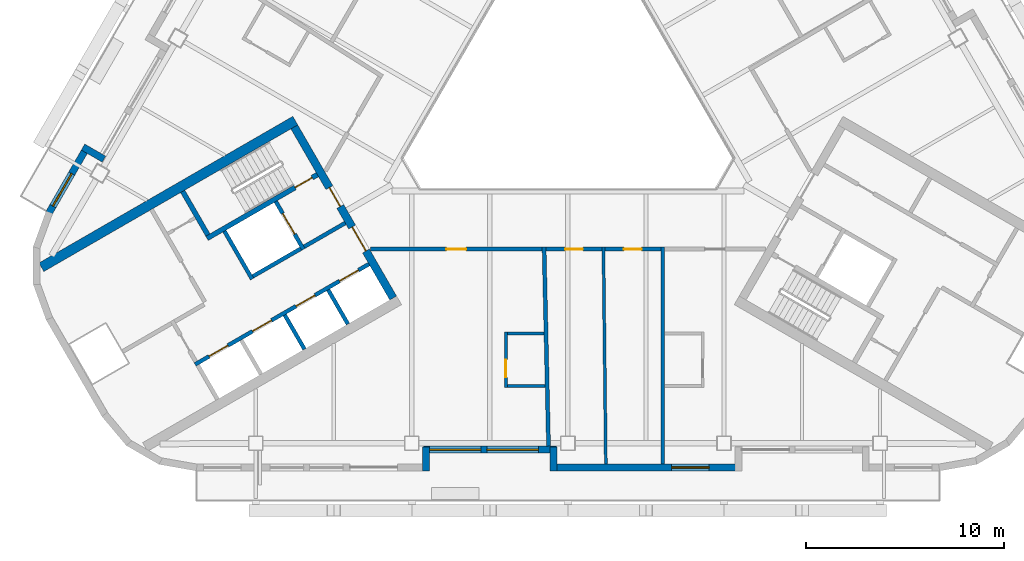
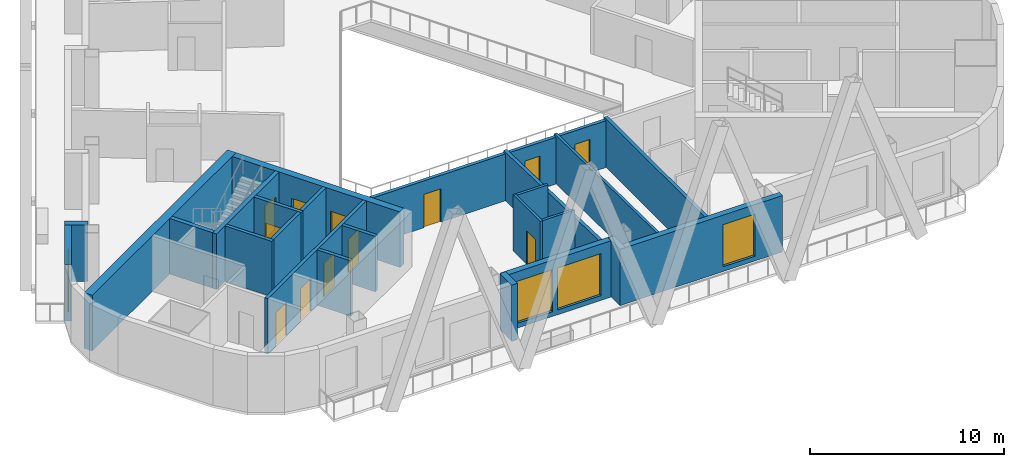
# One storey, part 3 of 13: 26 walls, 12 doors, 4 windows, 16 openings.
"""IFC4 building model written with IfcOpenShell, lengths in metres."""

from ifc_helpers import new_model, si_unit, direction, frame, frame_2d, origin, place, context, subcontext, project, spatial, rectangle, extrude, material, layer, layer_set, type_object, element, fill, save


model = new_model("IFC4")

# Units and contexts
model_context = context("Model", 3, precision=1e-05, world=origin(), true_north=direction((0.0, 1.0)))
body_context = subcontext(model_context, "Body", "Model", "MODEL_VIEW")
ifc_project = project(units=[si_unit("LENGTHUNIT", "METRE"), si_unit("AREAUNIT", "SQUARE_METRE"), si_unit("VOLUMEUNIT", "CUBIC_METRE"), si_unit("PLANEANGLEUNIT", "RADIAN"), si_unit("MASSUNIT", "GRAM", prefix="KILO")], contexts=[model_context])

# Site, building, storey
site_placement = place(None, origin())
site = spatial("IfcSite", under=ifc_project, at=site_placement, CompositionType="ELEMENT")
building_placement = place(site_placement, origin())
building = spatial("IfcBuilding", under=site, at=building_placement, Name="Apuvela Tower Hotel", CompositionType="ELEMENT")
storey_placement = place(building_placement, frame((0.0, 0.0, 191.0)))
storey = spatial("IfcBuildingStorey", under=building, at=storey_placement, Name="L46", CompositionType="ELEMENT", Elevation=191.0)

# Wall, openings, doors
ifc_material_1 = material(Name="Concrete C50/60", Category="concrete")
ifc_layer_1 = layer(ifc_material_1, 0.39990234375)
ifc_layer_set_1 = layer_set([ifc_layer_1], Name="COR-WALL-CORE-400")
wall_type_1 = type_object("IfcWallType", Name="COR-WALL-CORE-400", PredefinedType="SHEAR", material=ifc_layer_set_1)
wall_1_placement = place(storey_placement, frame((-13.844970703125, -2.219970703125, 0.0), z_axis=(0.0, 0.0, 1.0), x_axis=(0.500004234368, -0.866022959057, 0.0)))
wall_1 = element("IfcWall", 1, at=wall_1_placement, inside=storey, type_object=wall_type_1, Name="Core wall SW", PredefinedType="SHEAR", context=body_context, shape_type="SweptSolid", body=[
    extrude(rectangle(XDim=10.0, YDim=0.39990234375, at=frame_2d((5.0, 0.0))), origin(), (0.0, 0.0, 1.0), 3.5),
])
opening_1_placement = place(wall_1_placement, frame((3.550048828125, 0.0, 0.0)))
opening_1 = element("IfcOpeningElement", 2, at=opening_1_placement, cuts=wall_1, Name="Opening W-FD", PredefinedType="OPENING", context=body_context, shape_type="SweptSolid", body=[
    extrude(rectangle(XDim=1.10009765625, YDim=2.10009765625, at=frame_2d((0.550048828125, 1.050048828125))), frame((0.0, 0.2099609375, 0.0), z_axis=(0.0, -1.0, 0.0), x_axis=(1.0, 0.0, 0.0)), (0.0, 0.0, 1.0), 0.419921875),
])
opening_2_placement = place(wall_1_placement, frame((5.85009765625, 0.0, 0.0)))
opening_2 = element("IfcOpeningElement", 3, at=opening_2_placement, cuts=wall_1, Name="Opening W-GD", PredefinedType="OPENING", context=body_context, shape_type="SweptSolid", body=[
    extrude(rectangle(XDim=1.39990234375, YDim=2.10009765625, at=frame_2d((0.699951171875, 1.050048828125))), frame((0.0, 0.2099609375, 0.0), z_axis=(0.0, -1.0, 0.0), x_axis=(1.0, 0.0, 0.0)), (0.0, 0.0, 1.0), 0.419921875),
])
ifc_material_2 = material(Name="Steel fire door, powder coated", Category="steel")
door_type_1 = type_object("IfcDoorType", Name="COR-FD-1100", OperationType="NOTDEFINED", PredefinedType="DOOR", material=ifc_material_2)
door_1_placement = place(opening_1_placement, frame((1.10009765625, 0.0, 0.0), z_axis=(0.0, 0.0, 1.0), x_axis=(-1.0, 0.0, 0.0)))
door_1 = element("IfcDoor", 4, at=door_1_placement, inside=storey, type_object=door_type_1, Name="Firefighting lobby door W-FD", OperationType="SINGLE_SWING_LEFT", OverallHeight=2.10009765625, OverallWidth=1.10009765625, PredefinedType="DOOR", context=body_context, shape_type="SweptSolid", body=[
    extrude(rectangle(XDim=1.10009765625, YDim=2.10009765625, at=frame_2d((0.550048828125, 1.050048828125))), frame((0.0, 0.02490234375, 0.0), z_axis=(0.0, -1.0, 0.0), x_axis=(1.0, 0.0, 0.0)), (0.0, 0.0, 1.0), 0.050048828125),
])
fill(opening_1, door_1)
ifc_material_3 = material(Name="Glazed steel fire door", Category="steel")
door_type_2 = type_object("IfcDoorType", Name="COR-GD-1400", OperationType="DOUBLE_DOOR_SINGLE_SWING", PredefinedType="DOOR", material=ifc_material_3)
door_2_placement = place(opening_2_placement, frame((1.39990234375, 0.0, 0.0), z_axis=(0.0, 0.0, 1.0), x_axis=(-1.0, 0.0, 0.0)))
door_2 = element("IfcDoor", 5, at=door_2_placement, inside=storey, type_object=door_type_2, Name="Lift lobby door W-GD", OperationType="DOUBLE_DOOR_SINGLE_SWING", OverallHeight=2.10009765625, OverallWidth=1.39990234375, PredefinedType="DOOR", context=body_context, shape_type="SweptSolid", body=[
    extrude(rectangle(XDim=1.39990234375, YDim=2.10009765625, at=frame_2d((0.699951171875, 1.050048828125))), frame((0.0, 0.02490234375, 0.0), z_axis=(0.0, -1.0, 0.0), x_axis=(1.0, 0.0, 0.0)), (0.0, 0.0, 1.0), 0.050048828125),
])
fill(opening_2, door_2)

# Walls
ifc_layer_2 = layer(ifc_material_1, 0.5)
ifc_layer_set_2 = layer_set([ifc_layer_2], Name="COR-WALL-CORE-500")
wall_type_2 = type_object("IfcWallType", Name="COR-WALL-CORE-500", PredefinedType="SHEAR", material=ifc_layer_set_2)
wall_2_placement = place(storey_placement, frame((-13.796630859375, -1.9033203125, 0.0), z_axis=(0.0, 0.0, 1.0), x_axis=(-0.866025009528, -0.500000682871, 0.0)))
element("IfcWall", 6, at=wall_2_placement, inside=storey, type_object=wall_type_2, Name="Core wall SW", PredefinedType="SHEAR", context=body_context, shape_type="SweptSolid", body=[
    extrude(rectangle(XDim=14.8369140625, YDim=0.5, at=frame_2d((7.41845703125, 0.0))), origin(), (0.0, 0.0, 1.0), 3.5),
])
ifc_layer_3 = layer(ifc_material_1, 0.199951171875)
ifc_layer_set_3 = layer_set([ifc_layer_3], Name="COR-WALL-SHAFT-200")
wall_type_3 = type_object("IfcWallType", Name="COR-WALL-SHAFT-200", PredefinedType="SHEAR", material=ifc_layer_set_3)
wall_3_placement = place(storey_placement, frame((-17.38134765625, -7.49462890625, 0.0), z_axis=(0.0, 0.0, 1.0), x_axis=(0.500011755427, -0.866018616679, 0.0)))
element("IfcWall", 7, at=wall_3_placement, inside=storey, type_object=wall_type_3, Name="Shaft wall SW", PredefinedType="SHEAR", context=body_context, shape_type="SweptSolid", body=[
    extrude(rectangle(XDim=2.80029296875, YDim=0.199951171875, at=frame_2d((1.400146484375, 0.0))), origin(), (0.0, 0.0, 1.0), 3.5),
])

# Wall, opening, door
wall_4_placement = place(storey_placement, frame((-14.783203125, -5.99462890625, 0.0), z_axis=(0.0, 0.0, 1.0), x_axis=(0.49994636267, -0.866056369097, 0.0)))
wall_4 = element("IfcWall", 8, at=wall_4_placement, inside=storey, type_object=wall_type_3, Name="Shaft wall SW", PredefinedType="SHEAR", context=body_context, shape_type="SweptSolid", body=[
    extrude(rectangle(XDim=2.800048828125, YDim=0.199951171875, at=frame_2d((1.39990234375, 0.0))), origin(), (0.0, 0.0, 1.0), 3.5),
])
opening_3_placement = place(wall_4_placement, frame((0.699951171875, 0.0, 0.0)))
opening_3 = element("IfcOpeningElement", 9, at=opening_3_placement, cuts=wall_4, Name="Opening W-LD-FS2", PredefinedType="OPENING", context=body_context, shape_type="SweptSolid", body=[
    extrude(rectangle(XDim=1.199951171875, YDim=2.10009765625, at=frame_2d((0.60009765625, 1.050048828125))), frame((0.0, 0.10986328125, 0.0), z_axis=(0.0, -1.0, 0.0), x_axis=(1.0, 0.0, 0.0)), (0.0, 0.0, 1.0), 0.219970703125),
])
ifc_material_4 = material(Name="Stainless steel lift landing door", Category="steel")
door_type_3 = type_object("IfcDoorType", Name="COR-LD-1200", OperationType="DOUBLE_DOOR_SLIDING", PredefinedType="DOOR", material=ifc_material_4)
door_3_placement = place(opening_3_placement, origin())
door_3 = element("IfcDoor", 10, at=door_3_placement, inside=storey, type_object=door_type_3, Name="Lift landing door W-LD-FS2", OperationType="DOUBLE_DOOR_SLIDING", OverallHeight=2.10009765625, OverallWidth=1.199951171875, PredefinedType="DOOR", context=body_context, shape_type="SweptSolid", body=[
    extrude(rectangle(XDim=1.199951171875, YDim=2.10009765625, at=frame_2d((0.60009765625, 1.050048828125))), frame((0.0, 0.02490234375, 0.0), z_axis=(0.0, -1.0, 0.0), x_axis=(1.0, 0.0, 0.0)), (0.0, 0.0, 1.0), 0.050048828125),
])
fill(opening_3, door_3)

# Walls
wall_5_placement = place(storey_placement, frame((-13.519775390625, -8.383056640625, 0.0), z_axis=(0.0, 0.0, 1.0), x_axis=(-0.866034573852, -0.49998411664, 0.0)))
element("IfcWall", 11, at=wall_5_placement, inside=storey, type_object=wall_type_3, Name="Shaft wall SW", PredefinedType="SHEAR", context=body_context, shape_type="SweptSolid", body=[
    extrude(rectangle(XDim=2.7998046875, YDim=0.199951171875, at=frame_2d((1.39990234375, 0.0))), origin(), (0.0, 0.0, 1.0), 3.5),
])
wall_6_placement = place(storey_placement, frame((-11.26806640625, -7.0830078125, 0.0), z_axis=(0.0, 0.0, 1.0), x_axis=(-0.866050077142, -0.499957262057, 0.0)))
element("IfcWall", 12, at=wall_6_placement, inside=storey, type_object=wall_type_3, Name="Shaft wall SW", PredefinedType="SHEAR", context=body_context, shape_type="SweptSolid", body=[
    extrude(rectangle(XDim=2.400146484375, YDim=0.199951171875, at=frame_2d((1.2001953125, 0.0))), origin(), (0.0, 0.0, 1.0), 3.5),
])

# Wall, openings, doors
wall_7_placement = place(storey_placement, frame((-10.068115234375, -9.16162109375, 0.0), z_axis=(0.0, 0.0, 1.0), x_axis=(-0.866032725843, -0.499987317609, 0.0)))
wall_7 = element("IfcWall", 13, at=wall_7_placement, inside=storey, type_object=wall_type_3, Name="Shaft wall SW", PredefinedType="SHEAR", context=body_context, shape_type="SweptSolid", body=[
    extrude(rectangle(XDim=10.159912109375, YDim=0.199951171875, at=frame_2d((5.080078125, 0.0))), origin(), (0.0, 0.0, 1.0), 3.5),
])
opening_4_placement = place(wall_7_placement, frame((0.6201171875, 0.0, 0.0)))
opening_4 = element("IfcOpeningElement", 14, at=opening_4_placement, cuts=wall_7, Name="Opening W-LD-MR1", PredefinedType="OPENING", context=body_context, shape_type="SweptSolid", body=[
    extrude(rectangle(XDim=1.10009765625, YDim=2.10009765625, at=frame_2d((0.550048828125, 1.050048828125))), frame((0.0, 0.10986328125, 0.0), z_axis=(0.0, -1.0, 0.0), x_axis=(1.0, 0.0, 0.0)), (0.0, 0.0, 1.0), 0.219970703125),
])
opening_5_placement = place(wall_7_placement, frame((3.159912109375, 0.0, 0.0)))
opening_5 = element("IfcOpeningElement", 15, at=opening_5_placement, cuts=wall_7, Name="Opening W-LD-MR2", PredefinedType="OPENING", context=body_context, shape_type="SweptSolid", body=[
    extrude(rectangle(XDim=1.10009765625, YDim=2.10009765625, at=frame_2d((0.550048828125, 1.050048828125))), frame((0.0, 0.10986328125, 0.0), z_axis=(0.0, -1.0, 0.0), x_axis=(1.0, 0.0, 0.0)), (0.0, 0.0, 1.0), 0.219970703125),
])
opening_6_placement = place(wall_7_placement, frame((5.699951171875, 0.0, 0.0)))
opening_6 = element("IfcOpeningElement", 16, at=opening_6_placement, cuts=wall_7, Name="Opening W-LD-MR3", PredefinedType="OPENING", context=body_context, shape_type="SweptSolid", body=[
    extrude(rectangle(XDim=1.10009765625, YDim=2.10009765625, at=frame_2d((0.550048828125, 1.050048828125))), frame((0.0, 0.10986328125, 0.0), z_axis=(0.0, -1.0, 0.0), x_axis=(1.0, 0.0, 0.0)), (0.0, 0.0, 1.0), 0.219970703125),
])
opening_7_placement = place(wall_7_placement, frame((8.239990234375, 0.0, 0.0)))
opening_7 = element("IfcOpeningElement", 17, at=opening_7_placement, cuts=wall_7, Name="Opening W-LD-MR4", PredefinedType="OPENING", context=body_context, shape_type="SweptSolid", body=[
    extrude(rectangle(XDim=1.10009765625, YDim=2.10009765625, at=frame_2d((0.550048828125, 1.050048828125))), frame((0.0, 0.10986328125, 0.0), z_axis=(0.0, -1.0, 0.0), x_axis=(1.0, 0.0, 0.0)), (0.0, 0.0, 1.0), 0.219970703125),
])
door_type_4 = type_object("IfcDoorType", Name="COR-LD-1100", OperationType="DOUBLE_DOOR_SLIDING", PredefinedType="DOOR", material=ifc_material_4)
door_4_placement = place(opening_4_placement, origin())
door_4 = element("IfcDoor", 18, at=door_4_placement, inside=storey, type_object=door_type_4, Name="Lift landing door W-LD-MR1", OperationType="DOUBLE_DOOR_SLIDING", OverallHeight=2.10009765625, OverallWidth=1.10009765625, PredefinedType="DOOR", context=body_context, shape_type="SweptSolid", body=[
    extrude(rectangle(XDim=1.10009765625, YDim=2.10009765625, at=frame_2d((0.550048828125, 1.050048828125))), frame((0.0, 0.02490234375, 0.0), z_axis=(0.0, -1.0, 0.0), x_axis=(1.0, 0.0, 0.0)), (0.0, 0.0, 1.0), 0.050048828125),
])
fill(opening_4, door_4)
door_5_placement = place(opening_5_placement, origin())
door_5 = element("IfcDoor", 19, at=door_5_placement, inside=storey, type_object=door_type_4, Name="Lift landing door W-LD-MR2", OperationType="DOUBLE_DOOR_SLIDING", OverallHeight=2.10009765625, OverallWidth=1.10009765625, PredefinedType="DOOR", context=body_context, shape_type="SweptSolid", body=[
    extrude(rectangle(XDim=1.10009765625, YDim=2.10009765625, at=frame_2d((0.550048828125, 1.050048828125))), frame((0.0, 0.02490234375, 0.0), z_axis=(0.0, -1.0, 0.0), x_axis=(1.0, 0.0, 0.0)), (0.0, 0.0, 1.0), 0.050048828125),
])
fill(opening_5, door_5)
door_6_placement = place(opening_6_placement, origin())
door_6 = element("IfcDoor", 20, at=door_6_placement, inside=storey, type_object=door_type_4, Name="Lift landing door W-LD-MR3", OperationType="DOUBLE_DOOR_SLIDING", OverallHeight=2.10009765625, OverallWidth=1.10009765625, PredefinedType="DOOR", context=body_context, shape_type="SweptSolid", body=[
    extrude(rectangle(XDim=1.10009765625, YDim=2.10009765625, at=frame_2d((0.550048828125, 1.050048828125))), frame((0.0, 0.02490234375, 0.0), z_axis=(0.0, -1.0, 0.0), x_axis=(1.0, 0.0, 0.0)), (0.0, 0.0, 1.0), 0.050048828125),
])
fill(opening_6, door_6)
door_7_placement = place(opening_7_placement, origin())
door_7 = element("IfcDoor", 21, at=door_7_placement, inside=storey, type_object=door_type_4, Name="Lift landing door W-LD-MR4", OperationType="DOUBLE_DOOR_SLIDING", OverallHeight=2.10009765625, OverallWidth=1.10009765625, PredefinedType="DOOR", context=body_context, shape_type="SweptSolid", body=[
    extrude(rectangle(XDim=1.10009765625, YDim=2.10009765625, at=frame_2d((0.550048828125, 1.050048828125))), frame((0.0, 0.02490234375, 0.0), z_axis=(0.0, -1.0, 0.0), x_axis=(1.0, 0.0, 0.0)), (0.0, 0.0, 1.0), 0.050048828125),
])
fill(opening_7, door_7)

# Walls
for number, where, z_axis, x_axis, name in (
    (22, (-12.131103515625, -10.468017578125, 0.0), (0.0, 0.0, 1.0), (0.499972520799, -0.866041268327, 0.0), "Shaft wall SW"),
    (23, (-14.330810546875, -11.738037109375, 0.0), (0.0, 0.0, 1.0), (0.499972520799, -0.866041268327, 0.0), "Shaft wall SW"),
):
    element("IfcWall", number, at=place(storey_placement, frame(where, z_axis=z_axis, x_axis=x_axis)), inside=storey, type_object=wall_type_3, Name=name, PredefinedType="SHEAR", context=body_context, shape_type="SweptSolid", body=[
        extrude(rectangle(XDim=2.0, YDim=0.199951171875, at=frame_2d((1.0, 0.0))), origin(), (0.0, 0.0, 1.0), 3.5),
    ])

# Wall, opening, door
ifc_layer_4 = layer(ifc_material_1, 0.25)
ifc_layer_set_4 = layer_set([ifc_layer_4], Name="COR-WALL-STAIR-250")
wall_type_4 = type_object("IfcWallType", Name="COR-WALL-STAIR-250", PredefinedType="SHEAR", material=ifc_layer_set_4)
wall_8_placement = place(storey_placement, frame((-12.6806640625, -4.636474609375, 0.0), z_axis=(0.0, 0.0, 1.0), x_axis=(-0.866021702275, -0.500006411147, 0.0)))
wall_8 = element("IfcWall", 24, at=wall_8_placement, inside=storey, type_object=wall_type_4, Name="Stair wall SW", PredefinedType="SHEAR", context=body_context, shape_type="SweptSolid", body=[
    extrude(rectangle(XDim=6.4501953125, YDim=0.25, at=frame_2d((3.22509765625, 0.0))), origin(), (0.0, 0.0, 1.0), 3.5),
])
opening_8_placement = place(wall_8_placement, frame((0.300048828125, 0.0, 0.0)))
opening_8 = element("IfcOpeningElement", 25, at=opening_8_placement, cuts=wall_8, Name="Opening W-SD", PredefinedType="OPENING", context=body_context, shape_type="SweptSolid", body=[
    extrude(rectangle(XDim=1.0, YDim=2.10009765625, at=frame_2d((0.5, 1.050048828125))), frame((0.0, 0.135009765625, 0.0), z_axis=(0.0, -1.0, 0.0), x_axis=(1.0, 0.0, 0.0)), (0.0, 0.0, 1.0), 0.27001953125),
])
door_type_5 = type_object("IfcDoorType", Name="COR-SD-1000", OperationType="NOTDEFINED", PredefinedType="DOOR", material=ifc_material_2)
door_8_placement = place(opening_8_placement, frame((1.0, 0.0, 0.0), z_axis=(0.0, 0.0, 1.0), x_axis=(-1.0, 0.0, 0.0)))
door_8 = element("IfcDoor", 26, at=door_8_placement, inside=storey, type_object=door_type_5, Name="Stair door W-SD", OperationType="SINGLE_SWING_LEFT", OverallHeight=2.10009765625, OverallWidth=1.0, PredefinedType="DOOR", context=body_context, shape_type="SweptSolid", body=[
    extrude(rectangle(XDim=1.0, YDim=2.10009765625, at=frame_2d((0.5, 1.050048828125))), frame((0.0, 0.02490234375, 0.0), z_axis=(0.0, -1.0, 0.0), x_axis=(1.0, 0.0, 0.0)), (0.0, 0.0, 1.0), 0.050048828125),
])
fill(opening_8, door_8)

# Walls
wall_9_placement = place(storey_placement, frame((-19.49560546875, -5.482421875, 0.0), z_axis=(0.0, 0.0, 1.0), x_axis=(0.499990435942, -0.866030925526, 0.0)))
element("IfcWall", 27, at=wall_9_placement, inside=storey, type_object=wall_type_4, Name="Stair wall SW", PredefinedType="SHEAR", context=body_context, shape_type="SweptSolid", body=[
    extrude(rectangle(XDim=2.5498046875, YDim=0.25, at=frame_2d((1.27490234375, 0.0))), origin(), (0.0, 0.0, 1.0), 3.5),
])
ifc_material_5 = material(Name="Concrete C40/50, dark pigmented precast panel", Category="concrete")
ifc_layer_5 = layer(ifc_material_5, 0.35009765625)
ifc_layer_set_5 = layer_set([ifc_layer_5], Name="ENV-WALL-350")
wall_type_5 = type_object("IfcWallType", Name="ENV-WALL-350", PredefinedType="SOLIDWALL", material=ifc_layer_set_5)
wall_10_placement = place(storey_placement, frame((-23.48095703125, -3.85009765625, 0.0), z_axis=(0.0, 0.0, 1.0), x_axis=(-0.866092288191, 0.499884134912, 0.0)))
element("IfcWall", 28, at=wall_10_placement, inside=storey, type_object=wall_type_5, Name="External wall L46-08", PredefinedType="SOLIDWALL", context=body_context, shape_type="SweptSolid", body=[
    extrude(rectangle(XDim=1.219970703125, YDim=0.35009765625, at=frame_2d((0.60986328125, 0.0))), origin(), (0.0, 0.0, 1.0), 3.550048828125),
])

# Wall, opening, window
wall_11_placement = place(storey_placement, frame((-24.298583984375, -3.17626953125, 0.0), z_axis=(0.0, 0.0, 1.0), x_axis=(-0.500028278809, -0.866009076391, 0.0)))
wall_11 = element("IfcWall", 29, at=wall_11_placement, inside=storey, type_object=wall_type_5, Name="External wall L46-09", PredefinedType="SOLIDWALL", context=body_context, shape_type="SweptSolid", body=[
    extrude(rectangle(XDim=3.915771484375, YDim=0.35009765625, at=frame_2d((1.9580078125, 0.0))), origin(), (0.0, 0.0, 1.0), 3.550048828125),
])
opening_9_placement = place(wall_11_placement, frame((1.625, 0.0, 0.300048828125)))
opening_9 = element("IfcOpeningElement", 30, at=opening_9_placement, cuts=wall_11, Name="Opening WN19", PredefinedType="OPENING", context=body_context, shape_type="SweptSolid", body=[
    extrude(rectangle(XDim=1.89990234375, YDim=2.64990234375, at=frame_2d((0.949951171875, 1.324951171875))), frame((0.0, 0.18505859375, 0.0), z_axis=(0.0, -1.0, 0.0), x_axis=(1.0, 0.0, 0.0)), (0.0, 0.0, 1.0), 0.3701171875),
])
ifc_material_6 = material(Name="Glass, dark tinted laminated insulated glazing unit", Category="glass")
window_type_1 = type_object("IfcWindowType", Name="ENV-WIN-1900x2650", PartitioningType="SINGLE_PANEL", PredefinedType="WINDOW", material=ifc_material_6)
window_1_placement = place(opening_9_placement, origin())
window_1 = element("IfcWindow", 31, at=window_1_placement, inside=storey, type_object=window_type_1, Name="Window WN19", OverallHeight=2.64990234375, OverallWidth=1.89990234375, PartitioningType="SINGLE_PANEL", PredefinedType="WINDOW", context=body_context, shape_type="SweptSolid", body=[
    extrude(rectangle(XDim=1.89990234375, YDim=2.64990234375, at=frame_2d((0.949951171875, 1.324951171875))), frame((0.0, 0.030029296875, 0.0), z_axis=(0.0, -1.0, 0.0), x_axis=(1.0, 0.0, 0.0)), (0.0, 0.0, 1.0), 0.06005859375),
])
fill(opening_9, window_1)

# Wall
wall_12_placement = place(storey_placement, frame((-7.175048828125, -19.6298828125, 0.0), z_axis=(0.0, 0.0, 1.0), x_axis=(0.0, 1.0, 0.0)))
element("IfcWall", 32, at=wall_12_placement, inside=storey, type_object=wall_type_5, Name="External wall L46-18", PredefinedType="SOLIDWALL", context=body_context, shape_type="SweptSolid", body=[
    extrude(rectangle(XDim=1.219970703125, YDim=0.35009765625, at=frame_2d((0.60986328125, 0.0))), origin(), (0.0, 0.0, 1.0), 3.550048828125),
])

# Wall, openings, windows
wall_13_placement = place(storey_placement, frame((-7.320068359375, -18.554931640625, 0.0), z_axis=(0.0, 0.0, 1.0), x_axis=(1.0, 0.0, 0.0)))
wall_13 = element("IfcWall", 33, at=wall_13_placement, inside=storey, type_object=wall_type_5, Name="External wall L46-19", PredefinedType="SOLIDWALL", context=body_context, shape_type="SweptSolid", body=[
    extrude(rectangle(XDim=6.739990234375, YDim=0.35009765625, at=frame_2d((3.3701171875, 0.0))), origin(), (0.0, 0.0, 1.0), 3.550048828125),
])
opening_10_placement = place(wall_13_placement, frame((0.3203125, 0.0, 0.300048828125)))
opening_10 = element("IfcOpeningElement", 34, at=opening_10_placement, cuts=wall_13, Name="Opening WN26", PredefinedType="OPENING", context=body_context, shape_type="SweptSolid", body=[
    extrude(rectangle(XDim=2.60009765625, YDim=2.64990234375, at=frame_2d((1.300048828125, 1.324951171875))), frame((0.0, 0.18505859375, 0.0), z_axis=(0.0, -1.0, 0.0), x_axis=(1.0, 0.0, 0.0)), (0.0, 0.0, 1.0), 0.3701171875),
])
opening_11_placement = place(wall_13_placement, frame((3.220458984375, 0.0, 0.300048828125)))
opening_11 = element("IfcOpeningElement", 35, at=opening_11_placement, cuts=wall_13, Name="Opening WN26", PredefinedType="OPENING", context=body_context, shape_type="SweptSolid", body=[
    extrude(rectangle(XDim=2.60009765625, YDim=2.64990234375, at=frame_2d((1.300048828125, 1.324951171875))), frame((0.0, 0.18505859375, 0.0), z_axis=(0.0, -1.0, 0.0), x_axis=(1.0, 0.0, 0.0)), (0.0, 0.0, 1.0), 0.3701171875),
])
window_type_2 = type_object("IfcWindowType", Name="ENV-WIN-2600x2650", PartitioningType="SINGLE_PANEL", PredefinedType="WINDOW", material=ifc_material_6)
window_2_placement = place(opening_10_placement, origin())
window_2 = element("IfcWindow", 36, at=window_2_placement, inside=storey, type_object=window_type_2, Name="Window WN26", OverallHeight=2.64990234375, OverallWidth=2.60009765625, PartitioningType="SINGLE_PANEL", PredefinedType="WINDOW", context=body_context, shape_type="SweptSolid", body=[
    extrude(rectangle(XDim=2.60009765625, YDim=2.64990234375, at=frame_2d((1.300048828125, 1.324951171875))), frame((0.0, 0.030029296875, 0.0), z_axis=(0.0, -1.0, 0.0), x_axis=(1.0, 0.0, 0.0)), (0.0, 0.0, 1.0), 0.06005859375),
])
fill(opening_10, window_2)
window_3_placement = place(opening_11_placement, origin())
window_3 = element("IfcWindow", 37, at=window_3_placement, inside=storey, type_object=window_type_2, Name="Window WN26", OverallHeight=2.64990234375, OverallWidth=2.60009765625, PartitioningType="SINGLE_PANEL", PredefinedType="WINDOW", context=body_context, shape_type="SweptSolid", body=[
    extrude(rectangle(XDim=2.60009765625, YDim=2.64990234375, at=frame_2d((1.300048828125, 1.324951171875))), frame((0.0, 0.030029296875, 0.0), z_axis=(0.0, -1.0, 0.0), x_axis=(1.0, 0.0, 0.0)), (0.0, 0.0, 1.0), 0.06005859375),
])
fill(opening_11, window_3)

# Wall
wall_14_placement = place(storey_placement, frame((-0.72509765625, -18.409912109375, 0.0), z_axis=(0.0, 0.0, 1.0), x_axis=(0.0, -1.0, 0.0)))
element("IfcWall", 38, at=wall_14_placement, inside=storey, type_object=wall_type_5, Name="External wall L46-20", PredefinedType="SOLIDWALL", context=body_context, shape_type="SweptSolid", body=[
    extrude(rectangle(XDim=1.219970703125, YDim=0.35009765625, at=frame_2d((0.60986328125, 0.0))), origin(), (0.0, 0.0, 1.0), 3.550048828125),
])

# Wall, opening, window
wall_15_placement = place(storey_placement, frame((-0.89990234375, -19.455078125, 0.0), z_axis=(0.0, 0.0, 1.0), x_axis=(1.0, 0.0, 0.0)))
wall_15 = element("IfcWall", 39, at=wall_15_placement, inside=storey, type_object=wall_type_5, Name="External wall L46-21", PredefinedType="SOLIDWALL", context=body_context, shape_type="SweptSolid", body=[
    extrude(rectangle(XDim=9.699951171875, YDim=0.35009765625, at=frame_2d((4.85009765625, 0.0))), origin(), (0.0, 0.0, 1.0), 3.550048828125),
])
opening_12_placement = place(wall_15_placement, frame((6.150390625, 0.0, 0.300048828125)))
opening_12 = element("IfcOpeningElement", 40, at=opening_12_placement, cuts=wall_15, Name="Opening WN19", PredefinedType="OPENING", context=body_context, shape_type="SweptSolid", body=[
    extrude(rectangle(XDim=1.89990234375, YDim=2.64990234375, at=frame_2d((0.949951171875, 1.324951171875))), frame((0.0, 0.18505859375, 0.0), z_axis=(0.0, -1.0, 0.0), x_axis=(1.0, 0.0, 0.0)), (0.0, 0.0, 1.0), 0.3701171875),
])
window_4_placement = place(opening_12_placement, origin())
window_4 = element("IfcWindow", 41, at=window_4_placement, inside=storey, type_object=window_type_1, Name="Window WN19", OverallHeight=2.64990234375, OverallWidth=1.89990234375, PartitioningType="SINGLE_PANEL", PredefinedType="WINDOW", context=body_context, shape_type="SweptSolid", body=[
    extrude(rectangle(XDim=1.89990234375, YDim=2.64990234375, at=frame_2d((0.949951171875, 1.324951171875))), frame((0.0, 0.030029296875, 0.0), z_axis=(0.0, -1.0, 0.0), x_axis=(1.0, 0.0, 0.0)), (0.0, 0.0, 1.0), 0.06005859375),
])
fill(opening_12, window_4)

# Walls
ifc_material_7 = material(Name="Gypsum board partition on twin steel stud", Category="steel")
ifc_layer_6 = layer(ifc_material_7, 0.199951171875)
ifc_layer_set_6 = layer_set([ifc_layer_6], Name="GST-PW1")
wall_type_6 = type_object("IfcWallType", Name="GST-PW1", PredefinedType="PARTITIONING", material=ifc_layer_set_6)
wall_16_placement = place(storey_placement, frame((-0.97998046875, -18.3798828125, 0.0), z_axis=(0.0, 0.0, 1.0), x_axis=(-0.022277513004, 0.999751825412, 0.0)))
element("IfcWall", 42, at=wall_16_placement, inside=storey, type_object=wall_type_6, Name="L46 partition 01", PredefinedType="PARTITIONING", context=body_context, shape_type="SweptSolid", body=[
    extrude(rectangle(XDim=10.082275390625, YDim=0.199951171875, at=frame_2d((5.041015625, 0.0))), origin(), (0.0, 0.0, 1.0), 3.06005859375),
])
wall_17_placement = place(storey_placement, frame((4.800048828125, -19.280029296875, 0.0), z_axis=(0.0, 0.0, 1.0), x_axis=(0.0, 1.0, 0.0)))
element("IfcWall", 43, at=wall_17_placement, inside=storey, type_object=wall_type_6, Name="L46 partition 02", PredefinedType="PARTITIONING", context=body_context, shape_type="SweptSolid", body=[
    extrude(rectangle(XDim=10.97998046875, YDim=0.199951171875, at=frame_2d((5.489990234375, 0.0))), origin(), (0.0, 0.0, 1.0), 3.06005859375),
])

# Wall, opening, door
ifc_material_8 = material(Name="Gypsum board corridor wall on twin steel stud, acoustic", Category="steel")
ifc_layer_7 = layer(ifc_material_8, 0.199951171875)
ifc_layer_set_7 = layer_set([ifc_layer_7], Name="GST-PW2")
wall_type_7 = type_object("IfcWallType", Name="GST-PW2", PredefinedType="PARTITIONING", material=ifc_layer_set_7)
wall_18_placement = place(storey_placement, frame((-1.30224609375, -8.39990234375, 0.0), z_axis=(0.0, 0.0, 1.0), x_axis=(-1.0, 0.0, 0.0)))
wall_18 = element("IfcWall", 44, at=wall_18_placement, inside=storey, type_object=wall_type_7, Name="L46 partition 07", PredefinedType="PARTITIONING", context=body_context, shape_type="SweptSolid", body=[
    extrude(rectangle(XDim=8.68603515625, YDim=0.199951171875, at=frame_2d((4.343017578125, 0.0))), origin(), (0.0, 0.0, 1.0), 2.949951171875),
])
opening_13_placement = place(wall_18_placement, frame((3.843017578125, 0.0, 0.0)))
opening_13 = element("IfcOpeningElement", 45, at=opening_13_placement, cuts=wall_18, Name="Opening GD18-02", PredefinedType="OPENING", context=body_context, shape_type="SweptSolid", body=[
    extrude(rectangle(XDim=1.0, YDim=2.10009765625, at=frame_2d((0.5, 1.050048828125))), frame((0.0, 0.10986328125, 0.0), z_axis=(0.0, -1.0, 0.0), x_axis=(1.0, 0.0, 0.0)), (0.0, 0.0, 1.0), 0.219970703125),
])
ifc_material_9 = material(Name="Timber door leaf in steel frame", Category="steel")
door_type_6 = type_object("IfcDoorType", Name="GST-D1", OperationType="NOTDEFINED", PredefinedType="DOOR", material=ifc_material_9)
door_9_placement = place(opening_13_placement, origin())
door_9 = element("IfcDoor", 46, at=door_9_placement, inside=storey, type_object=door_type_6, Name="Door L46-02", OperationType="SINGLE_SWING_LEFT", OverallHeight=2.10009765625, OverallWidth=1.0, PredefinedType="DOOR", context=body_context, shape_type="SweptSolid", body=[
    extrude(rectangle(XDim=1.0, YDim=2.10009765625, at=frame_2d((0.5, 1.050048828125))), frame((0.0, 0.02490234375, 0.0), z_axis=(0.0, -1.0, 0.0), x_axis=(1.0, 0.0, 0.0)), (0.0, 0.0, 1.0), 0.050048828125),
])
fill(opening_13, door_9)

wall_19_placement = place(storey_placement, frame((1.723876953125, -8.39990234375, 0.0), z_axis=(0.0, 0.0, 1.0), x_axis=(-1.0, 0.0, 0.0)))
wall_19 = element("IfcWall", 47, at=wall_19_placement, inside=storey, type_object=wall_type_7, Name="L46 partition 12", PredefinedType="PARTITIONING", context=body_context, shape_type="SweptSolid", body=[
    extrude(rectangle(XDim=2.826171875, YDim=0.199951171875, at=frame_2d((1.4130859375, 0.0))), origin(), (0.0, 0.0, 1.0), 2.949951171875),
])
opening_14_placement = place(wall_19_placement, frame((0.963134765625, 0.0, 0.0)))
opening_14 = element("IfcOpeningElement", 48, at=opening_14_placement, cuts=wall_19, Name="Opening GD18-03", PredefinedType="OPENING", context=body_context, shape_type="SweptSolid", body=[
    extrude(rectangle(XDim=0.89990234375, YDim=2.10009765625, at=frame_2d((0.449951171875, 1.050048828125))), frame((0.0, 0.10986328125, 0.0), z_axis=(0.0, -1.0, 0.0), x_axis=(1.0, 0.0, 0.0)), (0.0, 0.0, 1.0), 0.219970703125),
])
door_type_7 = type_object("IfcDoorType", Name="GST-D2", OperationType="NOTDEFINED", PredefinedType="DOOR", material=ifc_material_9)
door_10_placement = place(opening_14_placement, origin())
door_10 = element("IfcDoor", 49, at=door_10_placement, inside=storey, type_object=door_type_7, Name="Door L46-03", OperationType="SINGLE_SWING_LEFT", OverallHeight=2.10009765625, OverallWidth=0.89990234375, PredefinedType="DOOR", context=body_context, shape_type="SweptSolid", body=[
    extrude(rectangle(XDim=0.89990234375, YDim=2.10009765625, at=frame_2d((0.449951171875, 1.050048828125))), frame((0.0, 0.02490234375, 0.0), z_axis=(0.0, -1.0, 0.0), x_axis=(1.0, 0.0, 0.0)), (0.0, 0.0, 1.0), 0.050048828125),
])
fill(opening_14, door_10)

wall_20_placement = place(storey_placement, frame((4.699951171875, -8.39990234375, 0.0), z_axis=(0.0, 0.0, 1.0), x_axis=(-1.0, 0.0, 0.0)))
wall_20 = element("IfcWall", 50, at=wall_20_placement, inside=storey, type_object=wall_type_7, Name="L46 partition 13", PredefinedType="PARTITIONING", context=body_context, shape_type="SweptSolid", body=[
    extrude(rectangle(XDim=2.826171875, YDim=0.199951171875, at=frame_2d((1.4130859375, 0.0))), origin(), (0.0, 0.0, 1.0), 2.949951171875),
])
opening_15_placement = place(wall_20_placement, frame((0.963134765625, 0.0, 0.0)))
opening_15 = element("IfcOpeningElement", 51, at=opening_15_placement, cuts=wall_20, Name="Opening GD18-04", PredefinedType="OPENING", context=body_context, shape_type="SweptSolid", body=[
    extrude(rectangle(XDim=0.89990234375, YDim=2.10009765625, at=frame_2d((0.449951171875, 1.050048828125))), frame((0.0, 0.10986328125, 0.0), z_axis=(0.0, -1.0, 0.0), x_axis=(1.0, 0.0, 0.0)), (0.0, 0.0, 1.0), 0.219970703125),
])
door_11_placement = place(opening_15_placement, origin())
door_11 = element("IfcDoor", 52, at=door_11_placement, inside=storey, type_object=door_type_7, Name="Door L46-04", OperationType="SINGLE_SWING_RIGHT", OverallHeight=2.10009765625, OverallWidth=0.89990234375, PredefinedType="DOOR", context=body_context, shape_type="SweptSolid", body=[
    extrude(rectangle(XDim=0.89990234375, YDim=2.10009765625, at=frame_2d((0.449951171875, 1.050048828125))), frame((0.0, 0.02490234375, 0.0), z_axis=(0.0, -1.0, 0.0), x_axis=(1.0, 0.0, 0.0)), (0.0, 0.0, 1.0), 0.050048828125),
])
fill(opening_15, door_11)

ifc_material_10 = material(Name="Moisture-resistant gypsum board wet wall on steel stud", Category="steel")
ifc_layer_8 = layer(ifc_material_10, 0.14990234375)
ifc_layer_set_8 = layer_set([ifc_layer_8], Name="GST-PW3")
wall_type_8 = type_object("IfcWallType", Name="GST-PW3", PredefinedType="PARTITIONING", material=ifc_layer_set_8)
wall_21_placement = place(storey_placement, frame((-3.1337890625, -12.60009765625, 0.0), z_axis=(0.0, 0.0, 1.0), x_axis=(0.0, -1.0, 0.0)))
wall_21 = element("IfcWall", 53, at=wall_21_placement, inside=storey, type_object=wall_type_8, Name="L46 partition 08", PredefinedType="PARTITIONING", context=body_context, shape_type="SweptSolid", body=[
    extrude(rectangle(XDim=2.7998046875, YDim=0.14990234375, at=frame_2d((1.39990234375, 0.0))), origin(), (0.0, 0.0, 1.0), 3.550048828125),
])
opening_16_placement = place(wall_21_placement, frame((1.39990234375, 0.0, 0.0)))
opening_16 = element("IfcOpeningElement", 54, at=opening_16_placement, cuts=wall_21, Name="Opening GD18-01", PredefinedType="OPENING", context=body_context, shape_type="SweptSolid", body=[
    extrude(rectangle(XDim=0.89990234375, YDim=2.10009765625, at=frame_2d((0.449951171875, 1.050048828125))), frame((0.0, 0.0849609375, 0.0), z_axis=(0.0, -1.0, 0.0), x_axis=(1.0, 0.0, 0.0)), (0.0, 0.0, 1.0), 0.169921875),
])
door_12_placement = place(opening_16_placement, origin())
door_12 = element("IfcDoor", 55, at=door_12_placement, inside=storey, type_object=door_type_7, Name="Door L46-01", OperationType="SINGLE_SWING_RIGHT", OverallHeight=2.10009765625, OverallWidth=0.89990234375, PredefinedType="DOOR", context=body_context, shape_type="SweptSolid", body=[
    extrude(rectangle(XDim=0.89990234375, YDim=2.10009765625, at=frame_2d((0.449951171875, 1.050048828125))), frame((0.0, 0.02490234375, 0.0), z_axis=(0.0, -1.0, 0.0), x_axis=(1.0, 0.0, 0.0)), (0.0, 0.0, 1.0), 0.050048828125),
])
fill(opening_16, door_12)

# Walls
wall_22_placement = place(storey_placement, frame((-3.05859375, -15.324951171875, 0.0), z_axis=(0.0, 0.0, 1.0), x_axis=(1.0, 0.0, 0.0)))
element("IfcWall", 56, at=wall_22_placement, inside=storey, type_object=wall_type_8, Name="L46 partition 09", PredefinedType="PARTITIONING", context=body_context, shape_type="SweptSolid", body=[
    extrude(rectangle(XDim=1.910400390625, YDim=0.14990234375, at=frame_2d((0.955078125, 0.0))), origin(), (0.0, 0.0, 1.0), 3.550048828125),
])
wall_23_placement = place(storey_placement, frame((-3.05859375, -12.675048828125, 0.0), z_axis=(0.0, 0.0, 1.0), x_axis=(1.0, 0.0, 0.0)))
element("IfcWall", 57, at=wall_23_placement, inside=storey, type_object=wall_type_8, Name="L46 partition 10", PredefinedType="PARTITIONING", context=body_context, shape_type="SweptSolid", body=[
    extrude(rectangle(XDim=1.8515625, YDim=0.14990234375, at=frame_2d((0.92578125, 0.0))), origin(), (0.0, 0.0, 1.0), 3.550048828125),
])
wall_24_placement = place(storey_placement, frame((1.919921875, -19.280029296875, 0.0), z_axis=(0.0, 0.0, 1.0), x_axis=(-0.011116847578, 0.999938205941, 0.0)))
element("IfcWall", 58, at=wall_24_placement, inside=storey, type_object=wall_type_8, Name="L46 partition 11", PredefinedType="PARTITIONING", context=body_context, shape_type="SweptSolid", body=[
    extrude(rectangle(XDim=10.980712890625, YDim=0.14990234375, at=frame_2d((5.490234375, 0.0))), origin(), (0.0, 0.0, 1.0), 3.06005859375),
])

save(model, "model.ifc")
